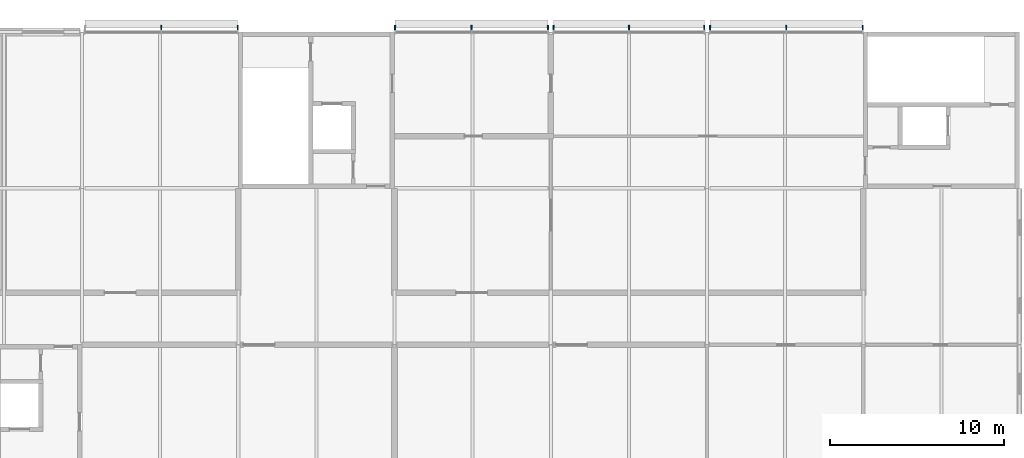
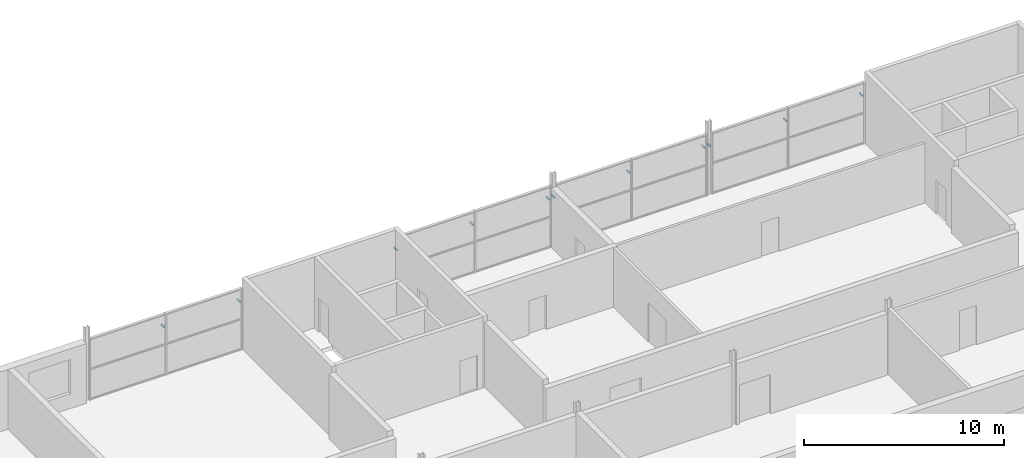
# One storey, part 135 of 138: 11 discrete accessories.
"""IFC4 building model written with IfcOpenShell, lengths in metres."""

from ifc_helpers import new_model, si_unit, direction, frame, origin, origin_2d, place, context, subcontext, project, spatial, rectangle, extrude, material, type_object, element, save


model = new_model("IFC4")

# Units and contexts
model_context = context("Model", 3, precision=1e-05, world=origin(), true_north=direction((0.0, 1.0)))
body_context = subcontext(model_context, "Body", "Model", "MODEL_VIEW")
ifc_project = project(units=[si_unit("LENGTHUNIT", "METRE"), si_unit("AREAUNIT", "SQUARE_METRE"), si_unit("VOLUMEUNIT", "CUBIC_METRE"), si_unit("PLANEANGLEUNIT", "RADIAN"), si_unit("MASSUNIT", "GRAM", prefix="KILO")], contexts=[model_context])

# Site, building, storey
site_placement = place(None, origin())
site = spatial("IfcSite", under=ifc_project, at=site_placement, CompositionType="ELEMENT")
building_placement = place(site_placement, origin())
building = spatial("IfcBuilding", under=site, at=building_placement, Name="Corbel Yard City Hall", CompositionType="ELEMENT")
storey_placement = place(building_placement, frame((0.0, 0.0, 10.5)))
storey = spatial("IfcBuildingStorey", under=building, at=storey_placement, Name="L02", CompositionType="ELEMENT", Elevation=10.5)

# Discrete accessories
ifc_material = material(Name="Steel Grade 300 (300 MPa yield)", Category="steel")
discrete_accessory_type = type_object("IfcDiscreteAccessoryType", Name="BK2", PredefinedType="BRACKET", material=ifc_material)
for number, where, z_axis, x_axis, name in (
    (1, (130.5634765625, 117.25, 2.763427734375), (0.0, 0.0, 1.0), (1.0, 0.0, 0.0), "Louvre bracket"),
    (2, (134.967529296875, 117.25, 2.763427734375), (0.0, 0.0, 1.0), (1.0, 0.0, 0.0), "Louvre bracket"),
    (3, (144.032470703125, 117.25, 2.763427734375), (0.0, 0.0, 1.0), (1.0, 0.0, 0.0), "Louvre bracket"),
    (4, (148.4365234375, 117.25, 2.763427734375), (0.0, 0.0, 1.0), (1.0, 0.0, 0.0), "Louvre bracket"),
    (5, (152.840576171875, 117.25, 2.763427734375), (0.0, 0.0, 1.0), (1.0, 0.0, 0.0), "Louvre bracket"),
    (6, (153.159423828125, 117.25, 2.763427734375), (0.0, 0.0, 1.0), (1.0, 0.0, 0.0), "Louvre bracket"),
    (7, (157.5, 117.25, 2.763427734375), (0.0, 0.0, 1.0), (1.0, 0.0, 0.0), "Louvre bracket"),
    (8, (161.840576171875, 117.25, 2.763427734375), (0.0, 0.0, 1.0), (1.0, 0.0, 0.0), "Louvre bracket"),
    (9, (162.159423828125, 117.25, 2.763427734375), (0.0, 0.0, 1.0), (1.0, 0.0, 0.0), "Louvre bracket"),
    (10, (166.5634765625, 117.25, 2.763427734375), (0.0, 0.0, 1.0), (1.0, 0.0, 0.0), "Louvre bracket"),
    (11, (170.967529296875, 117.25, 2.763427734375), (0.0, 0.0, 1.0), (1.0, 0.0, 0.0), "Louvre bracket"),
):
    element("IfcDiscreteAccessory", number, at=place(storey_placement, frame(where, z_axis=z_axis, x_axis=x_axis)), inside=storey, type_object=discrete_accessory_type, Name=name, PredefinedType="BRACKET", context=body_context, shape_type="SweptSolid", body=[
        extrude(rectangle(XDim=0.080078125, YDim=0.300048828125, at=origin_2d()), origin(), (0.0, 0.0, 1.0), 0.080078125),
    ])

save(model, "model.ifc")
